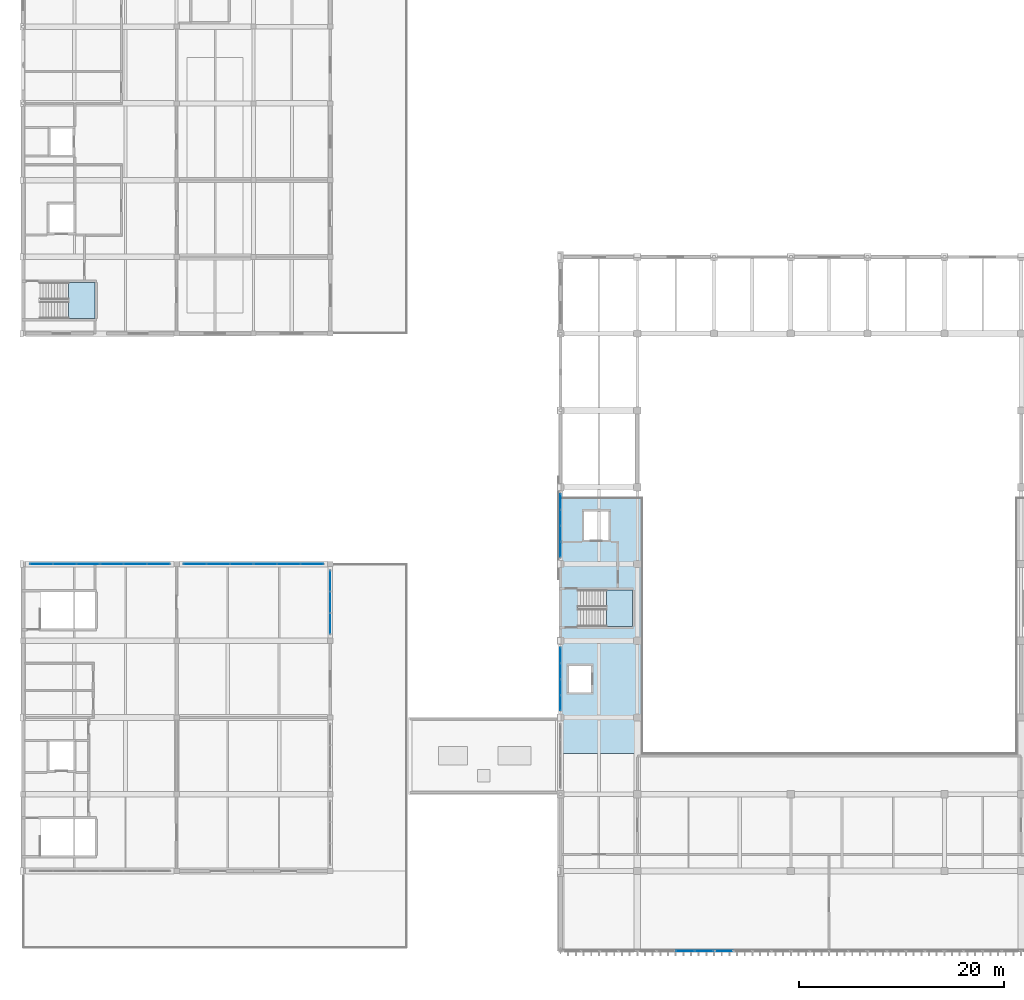
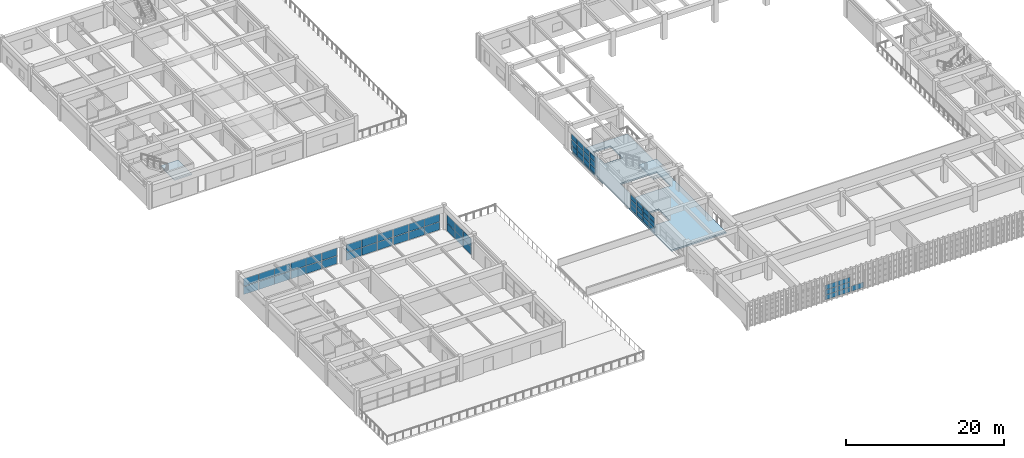
# One storey, part 51 of 82: 61 plates, 3 slabs, 11 elements without a shape of their own.
"""IFC4 building model written with IfcOpenShell, lengths in metres."""

from ifc_helpers import new_model, si_unit, direction, frame, origin, origin_2d, place, context, subcontext, project, spatial, polyline, rectangle, outline, extrude, material, layer, layer_set, type_object, element, aggregate, save


model = new_model("IFC4")

# Units and contexts
model_context = context("Model", 3, precision=1e-05, world=origin(), true_north=direction((0.0, 1.0)))
body_context = subcontext(model_context, "Body", "Model", "MODEL_VIEW")
ifc_project = project(units=[si_unit("LENGTHUNIT", "METRE"), si_unit("AREAUNIT", "SQUARE_METRE"), si_unit("VOLUMEUNIT", "CUBIC_METRE"), si_unit("PLANEANGLEUNIT", "RADIAN"), si_unit("MASSUNIT", "GRAM", prefix="KILO")], contexts=[model_context])

# Site, building, storey
site_placement = place(None, origin())
site = spatial("IfcSite", under=ifc_project, at=site_placement, CompositionType="ELEMENT")
building_placement = place(site_placement, origin())
building = spatial("IfcBuilding", under=site, at=building_placement, Name="Qasida Concert Hall", CompositionType="ELEMENT")
storey_placement = place(building_placement, frame((0.0, 0.0, 17.10009765625)))
storey = spatial("IfcBuildingStorey", under=building, at=storey_placement, Name="L04", CompositionType="ELEMENT", Elevation=17.10009765625)

# Curtain wall, plates
ifc_material_1 = material(Name="Architectural bronze-anodized aluminium and low-E glass", Category="aluminium")
curtain_wall_type_1 = type_object("IfcCurtainWallType", Name="CW-10", PredefinedType="NOTDEFINED", material=ifc_material_1)
curtain_wall_1_placement = place(storey_placement, origin())
curtain_wall_1 = element("IfcCurtainWall", 1, at=curtain_wall_1_placement, inside=storey, type_object=curtain_wall_type_1, Name="L04 curtain wall CW-10 0023", PredefinedType="NOTDEFINED")
ifc_material_2 = material(Name="Solar-control low-E double glazing", Category="glass")
ifc_layer_1 = layer(ifc_material_2, 0.035888671875, Name="Solar-control low-E double glazing")
ifc_layer_set_1 = layer_set([ifc_layer_1], Name="Solar-control low-E double glazing")
plate_type_1 = type_object("IfcPlateType", Name="PLT-CWP-1", PredefinedType="CURTAIN_PANEL", material=ifc_layer_set_1)
plate_1_placement = place(storey_placement, frame((64.6826171875, 14.699951171875, 0.06005859375), z_axis=(0.0, 0.0, 1.0), x_axis=(1.0, 0.0, 0.0)))
plate_1 = element("IfcPlate", 2, at=plate_1_placement, type_object=plate_type_1, Name="CW-10 panel 3.1", PredefinedType="CURTAIN_PANEL", context=body_context, shape_type="SweptSolid", body=[
    extrude(rectangle(XDim=1.794921875, YDim=0.035888671875, at=origin_2d()), origin(), (0.0, 0.0, 1.0), 0.706787109375),
])
plate_2_placement = place(storey_placement, frame((64.6826171875, 14.699951171875, 0.82666015625), z_axis=(0.0, 0.0, 1.0), x_axis=(1.0, 0.0, 0.0)))
plate_2 = element("IfcPlate", 3, at=plate_2_placement, type_object=plate_type_1, Name="CW-10 panel 3.2", PredefinedType="CURTAIN_PANEL", context=body_context, shape_type="SweptSolid", body=[
    extrude(rectangle(XDim=1.794921875, YDim=0.035888671875, at=origin_2d()), origin(), (0.0, 0.0, 1.0), 0.736572265625),
])
plate_3_placement = place(storey_placement, frame((64.6826171875, 14.699951171875, 1.623046875), z_axis=(0.0, 0.0, 1.0), x_axis=(1.0, 0.0, 0.0)))
plate_3 = element("IfcPlate", 4, at=plate_3_placement, type_object=plate_type_1, Name="CW-10 panel 3.3", PredefinedType="CURTAIN_PANEL", context=body_context, shape_type="SweptSolid", body=[
    extrude(rectangle(XDim=1.794921875, YDim=0.035888671875, at=origin_2d()), origin(), (0.0, 0.0, 1.0), 0.706787109375),
])
plate_4_placement = place(storey_placement, frame((66.530029296875, 14.699951171875, 0.06005859375), z_axis=(0.0, 0.0, 1.0), x_axis=(1.0, 0.0, 0.0)))
plate_4 = element("IfcPlate", 5, at=plate_4_placement, type_object=plate_type_1, Name="CW-10 panel 4.1", PredefinedType="CURTAIN_PANEL", context=body_context, shape_type="SweptSolid", body=[
    extrude(rectangle(XDim=1.760009765625, YDim=0.035888671875, at=origin_2d()), origin(), (0.0, 0.0, 1.0), 0.706787109375),
])
plate_5_placement = place(storey_placement, frame((66.530029296875, 14.699951171875, 0.82666015625), z_axis=(0.0, 0.0, 1.0), x_axis=(1.0, 0.0, 0.0)))
plate_5 = element("IfcPlate", 6, at=plate_5_placement, type_object=plate_type_1, Name="CW-10 panel 4.2", PredefinedType="CURTAIN_PANEL", context=body_context, shape_type="SweptSolid", body=[
    extrude(rectangle(XDim=1.760009765625, YDim=0.035888671875, at=origin_2d()), origin(), (0.0, 0.0, 1.0), 0.736572265625),
])
plate_6_placement = place(storey_placement, frame((66.530029296875, 14.699951171875, 1.623046875), z_axis=(0.0, 0.0, 1.0), x_axis=(1.0, 0.0, 0.0)))
plate_6 = element("IfcPlate", 7, at=plate_6_placement, type_object=plate_type_1, Name="CW-10 panel 4.3", PredefinedType="CURTAIN_PANEL", context=body_context, shape_type="SweptSolid", body=[
    extrude(rectangle(XDim=1.760009765625, YDim=0.035888671875, at=origin_2d()), origin(), (0.0, 0.0, 1.0), 0.706787109375),
])
aggregate(curtain_wall_1, [plate_1, plate_2, plate_3, plate_4, plate_5, plate_6])

# Curtain wall, plate
curtain_wall_2_placement = place(storey_placement, origin())
curtain_wall_2 = element("IfcCurtainWall", 8, at=curtain_wall_2_placement, inside=storey, type_object=curtain_wall_type_1, Name="L04 curtain wall CW-10 0024", PredefinedType="NOTDEFINED")
plate_7_placement = place(storey_placement, frame((68.469970703125, 14.699951171875, 0.059814453125), z_axis=(0.0, 0.0, 1.0), x_axis=(1.0, 0.0, 0.0)))
plate_7 = element("IfcPlate", 9, at=plate_7_placement, type_object=plate_type_1, Name="CW-10 panel 1.1", PredefinedType="CURTAIN_PANEL", context=body_context, shape_type="SweptSolid", body=[
    extrude(rectangle(XDim=1.760009765625, YDim=0.035888671875, at=origin_2d()), origin(), (0.0, 0.0, 1.0), 0.806640625),
])
aggregate(curtain_wall_2, [plate_7])

# Curtain wall, plates
curtain_wall_type_2 = type_object("IfcCurtainWallType", Name="CW-11", PredefinedType="NOTDEFINED", material=ifc_material_1)
curtain_wall_3_placement = place(storey_placement, origin())
curtain_wall_3 = element("IfcCurtainWall", 10, at=curtain_wall_3_placement, inside=storey, type_object=curtain_wall_type_2, Name="L04 curtain wall CW-11 0058", PredefinedType="NOTDEFINED")
ifc_layer_2 = layer(ifc_material_2, 0.031982421875, Name="Solar-control low-E double glazing")
ifc_layer_set_2 = layer_set([ifc_layer_2], Name="Solar-control low-E double glazing")
plate_type_2 = type_object("IfcPlateType", Name="PLT-CWP-2", PredefinedType="CURTAIN_PANEL", material=ifc_layer_set_2)
plate_8_placement = place(storey_placement, frame((52.5, 38.918701171875, 0.06005859375), z_axis=(0.0, 0.0, 1.0), x_axis=(0.0, 1.0, 0.0)))
plate_8 = element("IfcPlate", 11, at=plate_8_placement, type_object=plate_type_2, Name="CW-11 panel 1.1", PredefinedType="CURTAIN_PANEL", context=body_context, shape_type="SweptSolid", body=[
    extrude(rectangle(XDim=1.467529296875, YDim=0.031982421875, at=origin_2d()), origin(), (0.0, 0.0, 1.0), 0.706787109375),
])
plate_9_placement = place(storey_placement, frame((52.5, 38.918701171875, 0.82666015625), z_axis=(0.0, 0.0, 1.0), x_axis=(0.0, 1.0, 0.0)))
plate_9 = element("IfcPlate", 12, at=plate_9_placement, type_object=plate_type_2, Name="CW-11 panel 1.2", PredefinedType="CURTAIN_PANEL", context=body_context, shape_type="SweptSolid", body=[
    extrude(rectangle(XDim=1.467529296875, YDim=0.031982421875, at=origin_2d()), origin(), (0.0, 0.0, 1.0), 0.736572265625),
])
plate_10_placement = place(storey_placement, frame((52.5, 38.918701171875, 1.623046875), z_axis=(0.0, 0.0, 1.0), x_axis=(0.0, 1.0, 0.0)))
plate_10 = element("IfcPlate", 13, at=plate_10_placement, type_object=plate_type_2, Name="CW-11 panel 1.3", PredefinedType="CURTAIN_PANEL", context=body_context, shape_type="SweptSolid", body=[
    extrude(rectangle(XDim=1.467529296875, YDim=0.031982421875, at=origin_2d()), origin(), (0.0, 0.0, 1.0), 0.706787109375),
])
plate_11_placement = place(storey_placement, frame((52.5, 40.467529296875, 0.06005859375), z_axis=(0.0, 0.0, 1.0), x_axis=(0.0, 1.0, 0.0)))
plate_11 = element("IfcPlate", 14, at=plate_11_placement, type_object=plate_type_2, Name="CW-11 panel 2.1", PredefinedType="CURTAIN_PANEL", context=body_context, shape_type="SweptSolid", body=[
    extrude(rectangle(XDim=1.5, YDim=0.031982421875, at=origin_2d()), origin(), (0.0, 0.0, 1.0), 0.706787109375),
])
plate_12_placement = place(storey_placement, frame((52.5, 40.467529296875, 0.82666015625), z_axis=(0.0, 0.0, 1.0), x_axis=(0.0, 1.0, 0.0)))
plate_12 = element("IfcPlate", 15, at=plate_12_placement, type_object=plate_type_2, Name="CW-11 panel 2.2", PredefinedType="CURTAIN_PANEL", context=body_context, shape_type="SweptSolid", body=[
    extrude(rectangle(XDim=1.5, YDim=0.031982421875, at=origin_2d()), origin(), (0.0, 0.0, 1.0), 0.736572265625),
])
plate_13_placement = place(storey_placement, frame((52.5, 40.467529296875, 1.623046875), z_axis=(0.0, 0.0, 1.0), x_axis=(0.0, 1.0, 0.0)))
plate_13 = element("IfcPlate", 16, at=plate_13_placement, type_object=plate_type_2, Name="CW-11 panel 2.3", PredefinedType="CURTAIN_PANEL", context=body_context, shape_type="SweptSolid", body=[
    extrude(rectangle(XDim=1.5, YDim=0.031982421875, at=origin_2d()), origin(), (0.0, 0.0, 1.0), 0.706787109375),
])
plate_14_placement = place(storey_placement, frame((52.5, 42.032470703125, 0.06005859375), z_axis=(0.0, 0.0, 1.0), x_axis=(0.0, 1.0, 0.0)))
plate_14 = element("IfcPlate", 17, at=plate_14_placement, type_object=plate_type_2, Name="CW-11 panel 3.1", PredefinedType="CURTAIN_PANEL", context=body_context, shape_type="SweptSolid", body=[
    extrude(rectangle(XDim=1.5, YDim=0.031982421875, at=origin_2d()), origin(), (0.0, 0.0, 1.0), 0.706787109375),
])
plate_15_placement = place(storey_placement, frame((52.5, 42.032470703125, 0.82666015625), z_axis=(0.0, 0.0, 1.0), x_axis=(0.0, 1.0, 0.0)))
plate_15 = element("IfcPlate", 18, at=plate_15_placement, type_object=plate_type_2, Name="CW-11 panel 3.2", PredefinedType="CURTAIN_PANEL", context=body_context, shape_type="SweptSolid", body=[
    extrude(rectangle(XDim=1.5, YDim=0.031982421875, at=origin_2d()), origin(), (0.0, 0.0, 1.0), 0.736572265625),
])
plate_16_placement = place(storey_placement, frame((52.5, 42.032470703125, 1.623046875), z_axis=(0.0, 0.0, 1.0), x_axis=(0.0, 1.0, 0.0)))
plate_16 = element("IfcPlate", 19, at=plate_16_placement, type_object=plate_type_2, Name="CW-11 panel 3.3", PredefinedType="CURTAIN_PANEL", context=body_context, shape_type="SweptSolid", body=[
    extrude(rectangle(XDim=1.5, YDim=0.031982421875, at=origin_2d()), origin(), (0.0, 0.0, 1.0), 0.706787109375),
])
plate_17_placement = place(storey_placement, frame((52.5, 43.581298828125, 0.06005859375), z_axis=(0.0, 0.0, 1.0), x_axis=(0.0, 1.0, 0.0)))
plate_17 = element("IfcPlate", 20, at=plate_17_placement, type_object=plate_type_2, Name="CW-11 panel 4.1", PredefinedType="CURTAIN_PANEL", context=body_context, shape_type="SweptSolid", body=[
    extrude(rectangle(XDim=1.467529296875, YDim=0.031982421875, at=origin_2d()), origin(), (0.0, 0.0, 1.0), 0.706787109375),
])
plate_18_placement = place(storey_placement, frame((52.5, 43.581298828125, 0.82666015625), z_axis=(0.0, 0.0, 1.0), x_axis=(0.0, 1.0, 0.0)))
plate_18 = element("IfcPlate", 21, at=plate_18_placement, type_object=plate_type_2, Name="CW-11 panel 4.2", PredefinedType="CURTAIN_PANEL", context=body_context, shape_type="SweptSolid", body=[
    extrude(rectangle(XDim=1.467529296875, YDim=0.031982421875, at=origin_2d()), origin(), (0.0, 0.0, 1.0), 0.736572265625),
])
plate_19_placement = place(storey_placement, frame((52.5, 43.581298828125, 1.623046875), z_axis=(0.0, 0.0, 1.0), x_axis=(0.0, 1.0, 0.0)))
plate_19 = element("IfcPlate", 22, at=plate_19_placement, type_object=plate_type_2, Name="CW-11 panel 4.3", PredefinedType="CURTAIN_PANEL", context=body_context, shape_type="SweptSolid", body=[
    extrude(rectangle(XDim=1.467529296875, YDim=0.031982421875, at=origin_2d()), origin(), (0.0, 0.0, 1.0), 0.706787109375),
])
aggregate(curtain_wall_3, [plate_8, plate_9, plate_10, plate_11, plate_12, plate_13, plate_14, plate_15, plate_16, plate_17, plate_18, plate_19])

curtain_wall_4_placement = place(storey_placement, origin())
curtain_wall_4 = element("IfcCurtainWall", 23, at=curtain_wall_4_placement, inside=storey, type_object=curtain_wall_type_2, Name="L04 curtain wall CW-11 0060", PredefinedType="NOTDEFINED")
plate_20_placement = place(storey_placement, frame((52.5, 53.918701171875, 0.059814453125), z_axis=(0.0, 0.0, 1.0), x_axis=(0.0, 1.0, 0.0)))
plate_20 = element("IfcPlate", 24, at=plate_20_placement, type_object=plate_type_2, Name="CW-11 panel 1.1", PredefinedType="CURTAIN_PANEL", context=body_context, shape_type="SweptSolid", body=[
    extrude(rectangle(XDim=1.467529296875, YDim=0.031982421875, at=origin_2d()), origin(), (0.0, 0.0, 1.0), 0.806640625),
])
plate_21_placement = place(storey_placement, frame((52.5, 53.918701171875, 0.9267578125), z_axis=(0.0, 0.0, 1.0), x_axis=(0.0, 1.0, 0.0)))
plate_21 = element("IfcPlate", 25, at=plate_21_placement, type_object=plate_type_2, Name="CW-11 panel 1.2", PredefinedType="CURTAIN_PANEL", context=body_context, shape_type="SweptSolid", body=[
    extrude(rectangle(XDim=1.467529296875, YDim=0.031982421875, at=origin_2d()), origin(), (0.0, 0.0, 1.0), 0.836669921875),
])
plate_22_placement = place(storey_placement, frame((52.5, 53.918701171875, 1.8232421875), z_axis=(0.0, 0.0, 1.0), x_axis=(0.0, 1.0, 0.0)))
plate_22 = element("IfcPlate", 26, at=plate_22_placement, type_object=plate_type_2, Name="CW-11 panel 1.3", PredefinedType="CURTAIN_PANEL", context=body_context, shape_type="SweptSolid", body=[
    extrude(rectangle(XDim=1.467529296875, YDim=0.031982421875, at=origin_2d()), origin(), (0.0, 0.0, 1.0), 0.806640625),
])
plate_23_placement = place(storey_placement, frame((52.5, 55.467529296875, 0.059814453125), z_axis=(0.0, 0.0, 1.0), x_axis=(0.0, 1.0, 0.0)))
plate_23 = element("IfcPlate", 27, at=plate_23_placement, type_object=plate_type_2, Name="CW-11 panel 2.1", PredefinedType="CURTAIN_PANEL", context=body_context, shape_type="SweptSolid", body=[
    extrude(rectangle(XDim=1.5, YDim=0.031982421875, at=origin_2d()), origin(), (0.0, 0.0, 1.0), 0.806640625),
])
plate_24_placement = place(storey_placement, frame((52.5, 55.467529296875, 0.9267578125), z_axis=(0.0, 0.0, 1.0), x_axis=(0.0, 1.0, 0.0)))
plate_24 = element("IfcPlate", 28, at=plate_24_placement, type_object=plate_type_2, Name="CW-11 panel 2.2", PredefinedType="CURTAIN_PANEL", context=body_context, shape_type="SweptSolid", body=[
    extrude(rectangle(XDim=1.5, YDim=0.031982421875, at=origin_2d()), origin(), (0.0, 0.0, 1.0), 0.836669921875),
])
plate_25_placement = place(storey_placement, frame((52.5, 55.467529296875, 1.8232421875), z_axis=(0.0, 0.0, 1.0), x_axis=(0.0, 1.0, 0.0)))
plate_25 = element("IfcPlate", 29, at=plate_25_placement, type_object=plate_type_2, Name="CW-11 panel 2.3", PredefinedType="CURTAIN_PANEL", context=body_context, shape_type="SweptSolid", body=[
    extrude(rectangle(XDim=1.5, YDim=0.031982421875, at=origin_2d()), origin(), (0.0, 0.0, 1.0), 0.806640625),
])
plate_26_placement = place(storey_placement, frame((52.5, 57.032470703125, 0.059814453125), z_axis=(0.0, 0.0, 1.0), x_axis=(0.0, 1.0, 0.0)))
plate_26 = element("IfcPlate", 30, at=plate_26_placement, type_object=plate_type_2, Name="CW-11 panel 3.1", PredefinedType="CURTAIN_PANEL", context=body_context, shape_type="SweptSolid", body=[
    extrude(rectangle(XDim=1.5, YDim=0.031982421875, at=origin_2d()), origin(), (0.0, 0.0, 1.0), 0.806640625),
])
plate_27_placement = place(storey_placement, frame((52.5, 57.032470703125, 0.9267578125), z_axis=(0.0, 0.0, 1.0), x_axis=(0.0, 1.0, 0.0)))
plate_27 = element("IfcPlate", 31, at=plate_27_placement, type_object=plate_type_2, Name="CW-11 panel 3.2", PredefinedType="CURTAIN_PANEL", context=body_context, shape_type="SweptSolid", body=[
    extrude(rectangle(XDim=1.5, YDim=0.031982421875, at=origin_2d()), origin(), (0.0, 0.0, 1.0), 0.836669921875),
])
plate_28_placement = place(storey_placement, frame((52.5, 57.032470703125, 1.8232421875), z_axis=(0.0, 0.0, 1.0), x_axis=(0.0, 1.0, 0.0)))
plate_28 = element("IfcPlate", 32, at=plate_28_placement, type_object=plate_type_2, Name="CW-11 panel 3.3", PredefinedType="CURTAIN_PANEL", context=body_context, shape_type="SweptSolid", body=[
    extrude(rectangle(XDim=1.5, YDim=0.031982421875, at=origin_2d()), origin(), (0.0, 0.0, 1.0), 0.806640625),
])
plate_29_placement = place(storey_placement, frame((52.5, 58.581298828125, 0.059814453125), z_axis=(0.0, 0.0, 1.0), x_axis=(0.0, 1.0, 0.0)))
plate_29 = element("IfcPlate", 33, at=plate_29_placement, type_object=plate_type_2, Name="CW-11 panel 4.1", PredefinedType="CURTAIN_PANEL", context=body_context, shape_type="SweptSolid", body=[
    extrude(rectangle(XDim=1.467529296875, YDim=0.031982421875, at=origin_2d()), origin(), (0.0, 0.0, 1.0), 0.806640625),
])
plate_30_placement = place(storey_placement, frame((52.5, 58.581298828125, 0.9267578125), z_axis=(0.0, 0.0, 1.0), x_axis=(0.0, 1.0, 0.0)))
plate_30 = element("IfcPlate", 34, at=plate_30_placement, type_object=plate_type_2, Name="CW-11 panel 4.2", PredefinedType="CURTAIN_PANEL", context=body_context, shape_type="SweptSolid", body=[
    extrude(rectangle(XDim=1.467529296875, YDim=0.031982421875, at=origin_2d()), origin(), (0.0, 0.0, 1.0), 0.836669921875),
])
plate_31_placement = place(storey_placement, frame((52.5, 58.581298828125, 1.8232421875), z_axis=(0.0, 0.0, 1.0), x_axis=(0.0, 1.0, 0.0)))
plate_31 = element("IfcPlate", 35, at=plate_31_placement, type_object=plate_type_2, Name="CW-11 panel 4.3", PredefinedType="CURTAIN_PANEL", context=body_context, shape_type="SweptSolid", body=[
    extrude(rectangle(XDim=1.467529296875, YDim=0.031982421875, at=origin_2d()), origin(), (0.0, 0.0, 1.0), 0.806640625),
])
aggregate(curtain_wall_4, [plate_20, plate_21, plate_22, plate_23, plate_24, plate_25, plate_26, plate_27, plate_28, plate_29, plate_30, plate_31])

curtain_wall_type_3 = type_object("IfcCurtainWallType", Name="CW-12", PredefinedType="NOTDEFINED", material=ifc_material_1)
curtain_wall_5_placement = place(storey_placement, origin())
curtain_wall_5 = element("IfcCurtainWall", 36, at=curtain_wall_5_placement, inside=storey, type_object=curtain_wall_type_3, Name="L04 curtain wall CW-12 0131", PredefinedType="NOTDEFINED")
ifc_layer_3 = layer(ifc_material_2, 0.028076171875, Name="Solar-control low-E double glazing")
ifc_layer_set_3 = layer_set([ifc_layer_3], Name="Solar-control low-E double glazing")
plate_type_3 = type_object("IfcPlateType", Name="PLT-CWP-3", PredefinedType="CURTAIN_PANEL", material=ifc_layer_set_3)
plate_32_placement = place(storey_placement, frame((1.780029296875, 52.5, 0.059814453125), z_axis=(0.0, 0.0, 1.0), x_axis=(1.0, 0.0, 0.0)))
plate_32 = element("IfcPlate", 37, at=plate_32_placement, type_object=plate_type_3, Name="CW-12 panel 1.1", PredefinedType="CURTAIN_PANEL", context=body_context, shape_type="SweptSolid", body=[
    extrude(rectangle(XDim=2.199951171875, YDim=0.028076171875, at=origin_2d()), origin(), (0.0, 0.0, 1.0), 1.205078125),
])
plate_33_placement = place(storey_placement, frame((1.780029296875, 52.5, 1.324951171875), z_axis=(0.0, 0.0, 1.0), x_axis=(1.0, 0.0, 0.0)))
plate_33 = element("IfcPlate", 38, at=plate_33_placement, type_object=plate_type_3, Name="CW-12 panel 1.2", PredefinedType="CURTAIN_PANEL", context=body_context, shape_type="SweptSolid", body=[
    extrude(rectangle(XDim=2.199951171875, YDim=0.028076171875, at=origin_2d()), origin(), (0.0, 0.0, 1.0), 1.205078125),
])
plate_34_placement = place(storey_placement, frame((4.054931640625, 52.5, 0.059814453125), z_axis=(0.0, 0.0, 1.0), x_axis=(1.0, 0.0, 0.0)))
plate_34 = element("IfcPlate", 39, at=plate_34_placement, type_object=plate_type_3, Name="CW-12 panel 2.1", PredefinedType="CURTAIN_PANEL", context=body_context, shape_type="SweptSolid", body=[
    extrude(rectangle(XDim=2.22998046875, YDim=0.028076171875, at=origin_2d()), origin(), (0.0, 0.0, 1.0), 1.205078125),
])
plate_35_placement = place(storey_placement, frame((4.054931640625, 52.5, 1.324951171875), z_axis=(0.0, 0.0, 1.0), x_axis=(1.0, 0.0, 0.0)))
plate_35 = element("IfcPlate", 40, at=plate_35_placement, type_object=plate_type_3, Name="CW-12 panel 2.2", PredefinedType="CURTAIN_PANEL", context=body_context, shape_type="SweptSolid", body=[
    extrude(rectangle(XDim=2.22998046875, YDim=0.028076171875, at=origin_2d()), origin(), (0.0, 0.0, 1.0), 1.205078125),
])
plate_36_placement = place(storey_placement, frame((6.330078125, 52.5, 0.059814453125), z_axis=(0.0, 0.0, 1.0), x_axis=(1.0, 0.0, 0.0)))
plate_36 = element("IfcPlate", 41, at=plate_36_placement, type_object=plate_type_3, Name="CW-12 panel 3.1", PredefinedType="CURTAIN_PANEL", context=body_context, shape_type="SweptSolid", body=[
    extrude(rectangle(XDim=2.199951171875, YDim=0.028076171875, at=origin_2d()), origin(), (0.0, 0.0, 1.0), 1.205078125),
])
plate_37_placement = place(storey_placement, frame((6.330078125, 52.5, 1.324951171875), z_axis=(0.0, 0.0, 1.0), x_axis=(1.0, 0.0, 0.0)))
plate_37 = element("IfcPlate", 42, at=plate_37_placement, type_object=plate_type_3, Name="CW-12 panel 3.2", PredefinedType="CURTAIN_PANEL", context=body_context, shape_type="SweptSolid", body=[
    extrude(rectangle(XDim=2.199951171875, YDim=0.028076171875, at=origin_2d()), origin(), (0.0, 0.0, 1.0), 1.205078125),
])
aggregate(curtain_wall_5, [plate_32, plate_33, plate_34, plate_35, plate_36, plate_37])

curtain_wall_6_placement = place(storey_placement, origin())
curtain_wall_6 = element("IfcCurtainWall", 43, at=curtain_wall_6_placement, inside=storey, type_object=curtain_wall_type_3, Name="L04 curtain wall CW-12 0133", PredefinedType="NOTDEFINED")
plate_38_placement = place(storey_placement, frame((8.669921875, 52.5, 0.059814453125), z_axis=(0.0, 0.0, 1.0), x_axis=(1.0, 0.0, 0.0)))
plate_38 = element("IfcPlate", 44, at=plate_38_placement, type_object=plate_type_3, Name="CW-12 panel 1.1", PredefinedType="CURTAIN_PANEL", context=body_context, shape_type="SweptSolid", body=[
    extrude(rectangle(XDim=2.199951171875, YDim=0.028076171875, at=origin_2d()), origin(), (0.0, 0.0, 1.0), 1.205078125),
])
plate_39_placement = place(storey_placement, frame((8.669921875, 52.5, 1.324951171875), z_axis=(0.0, 0.0, 1.0), x_axis=(1.0, 0.0, 0.0)))
plate_39 = element("IfcPlate", 45, at=plate_39_placement, type_object=plate_type_3, Name="CW-12 panel 1.2", PredefinedType="CURTAIN_PANEL", context=body_context, shape_type="SweptSolid", body=[
    extrude(rectangle(XDim=2.199951171875, YDim=0.028076171875, at=origin_2d()), origin(), (0.0, 0.0, 1.0), 1.205078125),
])
plate_40_placement = place(storey_placement, frame((10.945068359375, 52.5, 0.059814453125), z_axis=(0.0, 0.0, 1.0), x_axis=(1.0, 0.0, 0.0)))
plate_40 = element("IfcPlate", 46, at=plate_40_placement, type_object=plate_type_3, Name="CW-12 panel 2.1", PredefinedType="CURTAIN_PANEL", context=body_context, shape_type="SweptSolid", body=[
    extrude(rectangle(XDim=2.22998046875, YDim=0.028076171875, at=origin_2d()), origin(), (0.0, 0.0, 1.0), 1.205078125),
])
plate_41_placement = place(storey_placement, frame((10.945068359375, 52.5, 1.324951171875), z_axis=(0.0, 0.0, 1.0), x_axis=(1.0, 0.0, 0.0)))
plate_41 = element("IfcPlate", 47, at=plate_41_placement, type_object=plate_type_3, Name="CW-12 panel 2.2", PredefinedType="CURTAIN_PANEL", context=body_context, shape_type="SweptSolid", body=[
    extrude(rectangle(XDim=2.22998046875, YDim=0.028076171875, at=origin_2d()), origin(), (0.0, 0.0, 1.0), 1.205078125),
])
plate_42_placement = place(storey_placement, frame((13.219970703125, 52.5, 0.059814453125), z_axis=(0.0, 0.0, 1.0), x_axis=(1.0, 0.0, 0.0)))
plate_42 = element("IfcPlate", 48, at=plate_42_placement, type_object=plate_type_3, Name="CW-12 panel 3.1", PredefinedType="CURTAIN_PANEL", context=body_context, shape_type="SweptSolid", body=[
    extrude(rectangle(XDim=2.199951171875, YDim=0.028076171875, at=origin_2d()), origin(), (0.0, 0.0, 1.0), 1.205078125),
])
plate_43_placement = place(storey_placement, frame((13.219970703125, 52.5, 1.324951171875), z_axis=(0.0, 0.0, 1.0), x_axis=(1.0, 0.0, 0.0)))
plate_43 = element("IfcPlate", 49, at=plate_43_placement, type_object=plate_type_3, Name="CW-12 panel 3.2", PredefinedType="CURTAIN_PANEL", context=body_context, shape_type="SweptSolid", body=[
    extrude(rectangle(XDim=2.199951171875, YDim=0.028076171875, at=origin_2d()), origin(), (0.0, 0.0, 1.0), 1.205078125),
])
aggregate(curtain_wall_6, [plate_38, plate_39, plate_40, plate_41, plate_42, plate_43])

curtain_wall_7_placement = place(storey_placement, origin())
curtain_wall_7 = element("IfcCurtainWall", 50, at=curtain_wall_7_placement, inside=storey, type_object=curtain_wall_type_3, Name="L04 curtain wall CW-12 0134", PredefinedType="NOTDEFINED")
plate_44_placement = place(storey_placement, frame((16.780029296875, 52.5, 0.059814453125), z_axis=(0.0, 0.0, 1.0), x_axis=(1.0, 0.0, 0.0)))
plate_44 = element("IfcPlate", 51, at=plate_44_placement, type_object=plate_type_3, Name="CW-12 panel 1.1", PredefinedType="CURTAIN_PANEL", context=body_context, shape_type="SweptSolid", body=[
    extrude(rectangle(XDim=2.199951171875, YDim=0.028076171875, at=origin_2d()), origin(), (0.0, 0.0, 1.0), 1.205078125),
])
plate_45_placement = place(storey_placement, frame((16.780029296875, 52.5, 1.324951171875), z_axis=(0.0, 0.0, 1.0), x_axis=(1.0, 0.0, 0.0)))
plate_45 = element("IfcPlate", 52, at=plate_45_placement, type_object=plate_type_3, Name="CW-12 panel 1.2", PredefinedType="CURTAIN_PANEL", context=body_context, shape_type="SweptSolid", body=[
    extrude(rectangle(XDim=2.199951171875, YDim=0.028076171875, at=origin_2d()), origin(), (0.0, 0.0, 1.0), 1.205078125),
])
plate_46_placement = place(storey_placement, frame((19.054931640625, 52.5, 0.059814453125), z_axis=(0.0, 0.0, 1.0), x_axis=(1.0, 0.0, 0.0)))
plate_46 = element("IfcPlate", 53, at=plate_46_placement, type_object=plate_type_3, Name="CW-12 panel 2.1", PredefinedType="CURTAIN_PANEL", context=body_context, shape_type="SweptSolid", body=[
    extrude(rectangle(XDim=2.22998046875, YDim=0.028076171875, at=origin_2d()), origin(), (0.0, 0.0, 1.0), 1.205078125),
])
plate_47_placement = place(storey_placement, frame((19.054931640625, 52.5, 1.324951171875), z_axis=(0.0, 0.0, 1.0), x_axis=(1.0, 0.0, 0.0)))
plate_47 = element("IfcPlate", 54, at=plate_47_placement, type_object=plate_type_3, Name="CW-12 panel 2.2", PredefinedType="CURTAIN_PANEL", context=body_context, shape_type="SweptSolid", body=[
    extrude(rectangle(XDim=2.22998046875, YDim=0.028076171875, at=origin_2d()), origin(), (0.0, 0.0, 1.0), 1.205078125),
])
plate_48_placement = place(storey_placement, frame((21.330078125, 52.5, 0.059814453125), z_axis=(0.0, 0.0, 1.0), x_axis=(1.0, 0.0, 0.0)))
plate_48 = element("IfcPlate", 55, at=plate_48_placement, type_object=plate_type_3, Name="CW-12 panel 3.1", PredefinedType="CURTAIN_PANEL", context=body_context, shape_type="SweptSolid", body=[
    extrude(rectangle(XDim=2.199951171875, YDim=0.028076171875, at=origin_2d()), origin(), (0.0, 0.0, 1.0), 1.205078125),
])
plate_49_placement = place(storey_placement, frame((21.330078125, 52.5, 1.324951171875), z_axis=(0.0, 0.0, 1.0), x_axis=(1.0, 0.0, 0.0)))
plate_49 = element("IfcPlate", 56, at=plate_49_placement, type_object=plate_type_3, Name="CW-12 panel 3.2", PredefinedType="CURTAIN_PANEL", context=body_context, shape_type="SweptSolid", body=[
    extrude(rectangle(XDim=2.199951171875, YDim=0.028076171875, at=origin_2d()), origin(), (0.0, 0.0, 1.0), 1.205078125),
])
aggregate(curtain_wall_7, [plate_44, plate_45, plate_46, plate_47, plate_48, plate_49])

curtain_wall_8_placement = place(storey_placement, origin())
curtain_wall_8 = element("IfcCurtainWall", 57, at=curtain_wall_8_placement, inside=storey, type_object=curtain_wall_type_3, Name="L04 curtain wall CW-12 0135", PredefinedType="NOTDEFINED")
plate_50_placement = place(storey_placement, frame((23.669921875, 52.5, 0.059814453125), z_axis=(0.0, 0.0, 1.0), x_axis=(1.0, 0.0, 0.0)))
plate_50 = element("IfcPlate", 58, at=plate_50_placement, type_object=plate_type_3, Name="CW-12 panel 1.1", PredefinedType="CURTAIN_PANEL", context=body_context, shape_type="SweptSolid", body=[
    extrude(rectangle(XDim=2.199951171875, YDim=0.028076171875, at=origin_2d()), origin(), (0.0, 0.0, 1.0), 1.205078125),
])
plate_51_placement = place(storey_placement, frame((23.669921875, 52.5, 1.324951171875), z_axis=(0.0, 0.0, 1.0), x_axis=(1.0, 0.0, 0.0)))
plate_51 = element("IfcPlate", 59, at=plate_51_placement, type_object=plate_type_3, Name="CW-12 panel 1.2", PredefinedType="CURTAIN_PANEL", context=body_context, shape_type="SweptSolid", body=[
    extrude(rectangle(XDim=2.199951171875, YDim=0.028076171875, at=origin_2d()), origin(), (0.0, 0.0, 1.0), 1.205078125),
])
plate_52_placement = place(storey_placement, frame((25.945068359375, 52.5, 0.059814453125), z_axis=(0.0, 0.0, 1.0), x_axis=(1.0, 0.0, 0.0)))
plate_52 = element("IfcPlate", 60, at=plate_52_placement, type_object=plate_type_3, Name="CW-12 panel 2.1", PredefinedType="CURTAIN_PANEL", context=body_context, shape_type="SweptSolid", body=[
    extrude(rectangle(XDim=2.22998046875, YDim=0.028076171875, at=origin_2d()), origin(), (0.0, 0.0, 1.0), 1.205078125),
])
plate_53_placement = place(storey_placement, frame((25.945068359375, 52.5, 1.324951171875), z_axis=(0.0, 0.0, 1.0), x_axis=(1.0, 0.0, 0.0)))
plate_53 = element("IfcPlate", 61, at=plate_53_placement, type_object=plate_type_3, Name="CW-12 panel 2.2", PredefinedType="CURTAIN_PANEL", context=body_context, shape_type="SweptSolid", body=[
    extrude(rectangle(XDim=2.22998046875, YDim=0.028076171875, at=origin_2d()), origin(), (0.0, 0.0, 1.0), 1.205078125),
])
plate_54_placement = place(storey_placement, frame((28.219970703125, 52.5, 0.059814453125), z_axis=(0.0, 0.0, 1.0), x_axis=(1.0, 0.0, 0.0)))
plate_54 = element("IfcPlate", 62, at=plate_54_placement, type_object=plate_type_3, Name="CW-12 panel 3.1", PredefinedType="CURTAIN_PANEL", context=body_context, shape_type="SweptSolid", body=[
    extrude(rectangle(XDim=2.199951171875, YDim=0.028076171875, at=origin_2d()), origin(), (0.0, 0.0, 1.0), 1.205078125),
])
plate_55_placement = place(storey_placement, frame((28.219970703125, 52.5, 1.324951171875), z_axis=(0.0, 0.0, 1.0), x_axis=(1.0, 0.0, 0.0)))
plate_55 = element("IfcPlate", 63, at=plate_55_placement, type_object=plate_type_3, Name="CW-12 panel 3.2", PredefinedType="CURTAIN_PANEL", context=body_context, shape_type="SweptSolid", body=[
    extrude(rectangle(XDim=2.199951171875, YDim=0.028076171875, at=origin_2d()), origin(), (0.0, 0.0, 1.0), 1.205078125),
])
aggregate(curtain_wall_8, [plate_50, plate_51, plate_52, plate_53, plate_54, plate_55])

curtain_wall_9_placement = place(storey_placement, origin())
curtain_wall_9 = element("IfcCurtainWall", 64, at=curtain_wall_9_placement, inside=storey, type_object=curtain_wall_type_3, Name="L04 curtain wall CW-12 0138", PredefinedType="NOTDEFINED")
plate_56_placement = place(storey_placement, frame((30.0, 46.67822265625, 0.059814453125), z_axis=(0.0, 0.0, 1.0), x_axis=(0.0, 1.0, 0.0)))
plate_56 = element("IfcPlate", 65, at=plate_56_placement, type_object=plate_type_3, Name="CW-12 panel 1.1", PredefinedType="CURTAIN_PANEL", context=body_context, shape_type="SweptSolid", body=[
    extrude(rectangle(XDim=1.99658203125, YDim=0.028076171875, at=origin_2d()), origin(), (0.0, 0.0, 1.0), 1.205078125),
])
plate_57_placement = place(storey_placement, frame((30.0, 46.67822265625, 1.324951171875), z_axis=(0.0, 0.0, 1.0), x_axis=(0.0, 1.0, 0.0)))
plate_57 = element("IfcPlate", 66, at=plate_57_placement, type_object=plate_type_3, Name="CW-12 panel 1.2", PredefinedType="CURTAIN_PANEL", context=body_context, shape_type="SweptSolid", body=[
    extrude(rectangle(XDim=1.99658203125, YDim=0.028076171875, at=origin_2d()), origin(), (0.0, 0.0, 1.0), 1.205078125),
])
plate_58_placement = place(storey_placement, frame((30.0, 48.75, 0.059814453125), z_axis=(0.0, 0.0, 1.0), x_axis=(0.0, 1.0, 0.0)))
plate_58 = element("IfcPlate", 67, at=plate_58_placement, type_object=plate_type_3, Name="CW-12 panel 2.1", PredefinedType="CURTAIN_PANEL", context=body_context, shape_type="SweptSolid", body=[
    extrude(rectangle(XDim=2.026611328125, YDim=0.028076171875, at=origin_2d()), origin(), (0.0, 0.0, 1.0), 1.205078125),
])
plate_59_placement = place(storey_placement, frame((30.0, 48.75, 1.324951171875), z_axis=(0.0, 0.0, 1.0), x_axis=(0.0, 1.0, 0.0)))
plate_59 = element("IfcPlate", 68, at=plate_59_placement, type_object=plate_type_3, Name="CW-12 panel 2.2", PredefinedType="CURTAIN_PANEL", context=body_context, shape_type="SweptSolid", body=[
    extrude(rectangle(XDim=2.026611328125, YDim=0.028076171875, at=origin_2d()), origin(), (0.0, 0.0, 1.0), 1.205078125),
])
plate_60_placement = place(storey_placement, frame((30.0, 50.82177734375, 0.059814453125), z_axis=(0.0, 0.0, 1.0), x_axis=(0.0, 1.0, 0.0)))
plate_60 = element("IfcPlate", 69, at=plate_60_placement, type_object=plate_type_3, Name="CW-12 panel 3.1", PredefinedType="CURTAIN_PANEL", context=body_context, shape_type="SweptSolid", body=[
    extrude(rectangle(XDim=1.99658203125, YDim=0.028076171875, at=origin_2d()), origin(), (0.0, 0.0, 1.0), 1.205078125),
])
plate_61_placement = place(storey_placement, frame((30.0, 50.82177734375, 1.324951171875), z_axis=(0.0, 0.0, 1.0), x_axis=(0.0, 1.0, 0.0)))
plate_61 = element("IfcPlate", 70, at=plate_61_placement, type_object=plate_type_3, Name="CW-12 panel 3.2", PredefinedType="CURTAIN_PANEL", context=body_context, shape_type="SweptSolid", body=[
    extrude(rectangle(XDim=1.99658203125, YDim=0.028076171875, at=origin_2d()), origin(), (0.0, 0.0, 1.0), 1.205078125),
])
aggregate(curtain_wall_9, [plate_56, plate_57, plate_58, plate_59, plate_60, plate_61])

# Slab
ifc_material_3 = material(Name="Concrete C40/50", Category="concrete")
ifc_layer_4 = layer(ifc_material_3, 0.239990234375, Name="Concrete C40/50")
ifc_layer_set_4 = layer_set([ifc_layer_4], Name="Concrete C40/50")
slab_type_1 = type_object("IfcSlabType", Name="SL-FS-240", PredefinedType="FLOOR", material=ifc_layer_set_4)
slab_1_placement = place(storey_placement, frame((0.0, 0.0, -0.239990234375)))
element("IfcSlab", 71, at=slab_1_placement, inside=storey, type_object=slab_type_1, Name="V1 reflector gallery west (FS-240)", PredefinedType="FLOOR", context=body_context, shape_type="SweptSolid", body=[
    extrude(outline(polyline([(52.5, 34.0), (60.5, 34.0), (60.5, 59.0), (52.5, 59.0), (52.5, 34.0)]), holes=[polyline([(53.199951171875, 39.85009765625), (55.60009765625, 39.85009765625), (55.60009765625, 42.64990234375), (53.199951171875, 42.64990234375), (53.199951171875, 39.85009765625)]), polyline([(54.18994140625, 46.39990234375), (59.52001953125, 46.39990234375), (59.52001953125, 49.9599609375), (54.18994140625, 49.9599609375), (54.18994140625, 46.39990234375)]), polyline([(54.699951171875, 54.75), (57.300048828125, 54.75), (57.300048828125, 57.75), (54.699951171875, 57.75), (54.699951171875, 54.75)])]), origin(), (0.0, 0.0, 1.0), 0.239990234375),
])

# Stair, slab
stair_type_1 = type_object("IfcStairType", Name="ST-DL-168", PredefinedType="HALF_TURN_STAIR", material=ifc_material_3)
stair_1_placement = place(storey_placement, origin())
stair_1 = element("IfcStair", 72, at=stair_1_placement, inside=storey, type_object=stair_type_1, Name="L04 Exit stair ST-01", PredefinedType="HALF_TURN_STAIR")
ifc_layer_5 = layer(ifc_material_3, 0.199951171875, Name="Concrete C40/50")
ifc_layer_set_5 = layer_set([ifc_layer_5], Name="Concrete C40/50")
slab_type_2 = type_object("IfcSlabType", Name="SL-LND-200", PredefinedType="LANDING", material=ifc_layer_set_5)
slab_2_placement = place(storey_placement, frame((0.0, 0.0, 1.75)))
slab_2 = element("IfcSlab", 73, at=slab_2_placement, type_object=slab_type_2, Name="ST-01 landing 1", PredefinedType="LANDING", context=body_context, shape_type="SweptSolid", body=[
    extrude(outline(polyline([(56.97998046875, 46.39990234375), (59.52001953125, 46.39990234375), (59.52001953125, 49.9599609375), (56.97998046875, 49.9599609375), (56.97998046875, 46.39990234375)])), origin(), (0.0, 0.0, 1.0), 0.199951171875),
])
aggregate(stair_1, [slab_2])

stair_type_2 = type_object("IfcStairType", Name="ST-DL-165", PredefinedType="HALF_TURN_STAIR", material=ifc_material_3)
stair_2_placement = place(storey_placement, origin())
stair_2 = element("IfcStair", 74, at=stair_2_placement, inside=storey, type_object=stair_type_2, Name="L04 Exit stair ST-05", PredefinedType="HALF_TURN_STAIR")
slab_3_placement = place(storey_placement, frame((0.0, 0.0, 1.75)))
slab_3 = element("IfcSlab", 75, at=slab_3_placement, type_object=slab_type_2, Name="ST-05 landing 1", PredefinedType="LANDING", context=body_context, shape_type="SweptSolid", body=[
    extrude(outline(polyline([(4.449951171875, 76.5), (7.02001953125, 76.5), (7.02001953125, 80.0), (4.449951171875, 80.0), (4.449951171875, 76.5)])), origin(), (0.0, 0.0, 1.0), 0.199951171875),
])
aggregate(stair_2, [slab_3])

save(model, "model.ifc")
